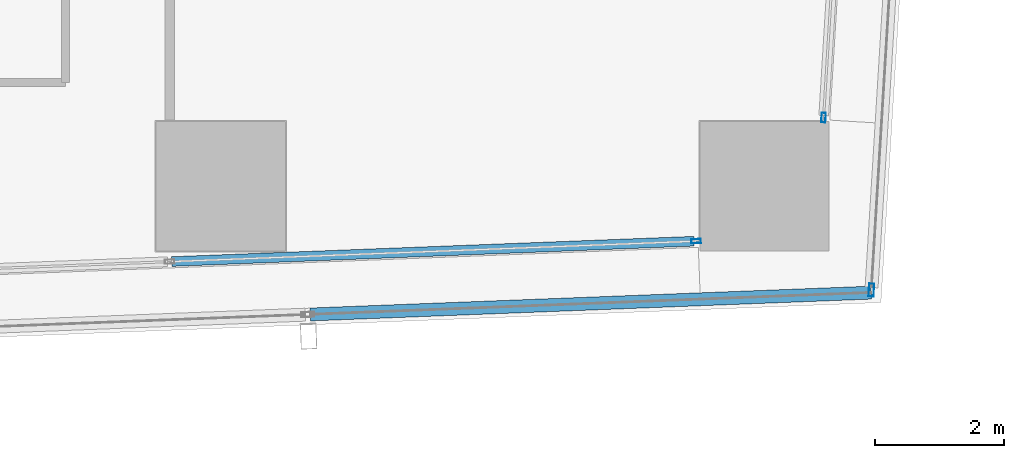
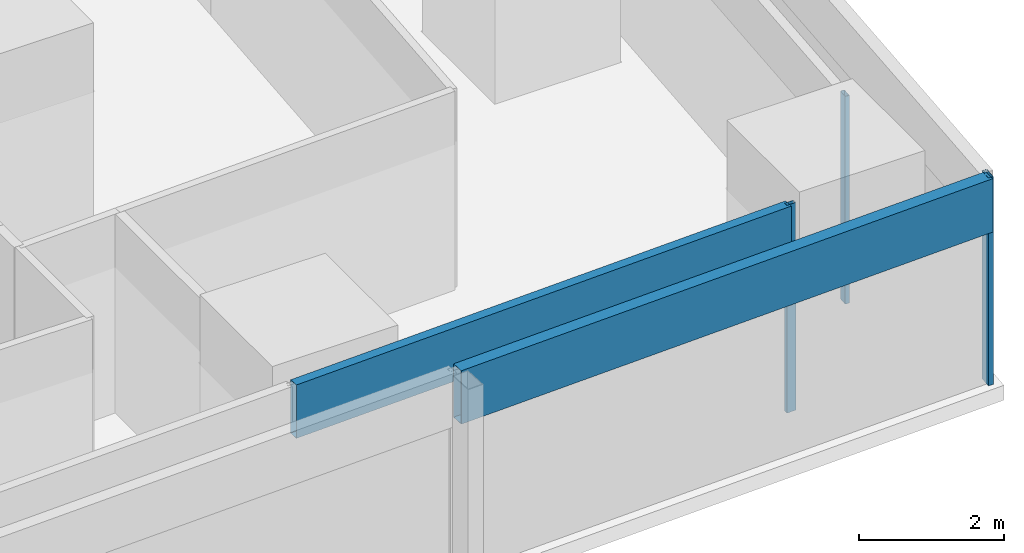
# One storey, part 12 of 39: 5 members, 4 elements without a shape of their own.
"""IFC4 building model written with IfcOpenShell, lengths in metres."""

from ifc_helpers import new_model, si_unit, direction, frame, origin, origin_2d, place, context, subcontext, project, spatial, hollow_rectangle, extrude, material, material_profile, profile_set, type_object, element, aggregate, save


model = new_model("IFC4")

# Units and contexts
model_context = context("Model", 3, precision=1e-05, world=origin(), true_north=direction((0.0, 1.0)))
body_context = subcontext(model_context, "Body", "Model", "MODEL_VIEW")
ifc_project = project(units=[si_unit("LENGTHUNIT", "METRE"), si_unit("AREAUNIT", "SQUARE_METRE"), si_unit("VOLUMEUNIT", "CUBIC_METRE"), si_unit("PLANEANGLEUNIT", "RADIAN"), si_unit("MASSUNIT", "GRAM", prefix="KILO")], contexts=[model_context])

# Site, building, storey
site_placement = place(None, origin())
site = spatial("IfcSite", under=ifc_project, at=site_placement, CompositionType="ELEMENT")
building_placement = place(site_placement, origin())
building = spatial("IfcBuilding", under=site, at=building_placement, Name="Rekha Terrace Tower", CompositionType="ELEMENT")
storey_placement = place(building_placement, frame((0.0, 0.0, 151.550048828125)))
storey = spatial("IfcBuildingStorey", under=building, at=storey_placement, Name="L38", CompositionType="ELEMENT", Elevation=151.550048828125)

# Curtain wall, member
ifc_material_1 = material(Name="Aluminium framing", Category="aluminium")
curtain_wall_type_1 = type_object("IfcCurtainWallType", Name="CW1 double skin inner glazing", PredefinedType="USERDEFINED", material=ifc_material_1)
curtain_wall_1_placement = place(storey_placement, origin())
curtain_wall_1 = element("IfcCurtainWall", 1, at=curtain_wall_1_placement, inside=storey, type_object=curtain_wall_type_1, Name="CW1 double skin inner glazing", ObjectType="DOUBLE SKIN INNER GLAZING", PredefinedType="USERDEFINED")
ifc_material_2 = material(Name="Aluminium mullion section", Category="aluminium")
ifc_material_profile_1 = material_profile(ifc_material_2, hollow_rectangle(XDim=0.06494140625, YDim=0.14990234375, WallThickness=0.00390625, at=origin_2d()), Name="AL RHS 65x150")
ifc_profile_set_1 = profile_set([ifc_material_profile_1], Name="Aluminium mullion section")
member_type_1 = type_object("IfcMemberType", Name="CW1 mullion RHS 65 x 150", PredefinedType="MULLION", material=ifc_profile_set_1)
member_1_placement = place(storey_placement, frame((66.143798828125, 15.94970703125, 0.0), z_axis=(0.0, 0.0, 1.0), x_axis=(-0.038889971328, 0.999243498918, 0.0)))
member_1 = element("IfcMember", 2, at=member_1_placement, type_object=member_type_1, Name="CW1 mullion 6", PredefinedType="MULLION", context=body_context, shape_type="SweptSolid", body=[
    extrude(hollow_rectangle(XDim=0.06494140625, YDim=0.14990234375, WallThickness=0.00390625, at=origin_2d()), origin(), (0.0, 0.0, 1.0), 3.5),
])

curtain_wall_2_placement = place(storey_placement, origin())
curtain_wall_2 = element("IfcCurtainWall", 3, at=curtain_wall_2_placement, inside=storey, type_object=curtain_wall_type_1, Name="CW1 double skin inner glazing", ObjectType="DOUBLE SKIN INNER GLAZING", PredefinedType="USERDEFINED")
member_2_placement = place(storey_placement, frame((68.113037109375, 17.85791015625, 0.0), z_axis=(0.0, 0.0, 1.0), x_axis=(-0.998127987024, 0.061159803131, 0.0)))
member_2 = element("IfcMember", 4, at=member_2_placement, type_object=member_type_1, Name="CW1 mullion 1", PredefinedType="MULLION", context=body_context, shape_type="SweptSolid", body=[
    extrude(hollow_rectangle(XDim=0.06494140625, YDim=0.14990234375, WallThickness=0.00390625, at=origin_2d()), origin(), (0.0, 0.0, 1.0), 3.5),
])
aggregate(curtain_wall_2, [member_2])

# Member
ifc_material_3 = material(Name="Insulated aluminium spandrel box", Category="aluminium")
ifc_material_profile_2 = material_profile(ifc_material_3, hollow_rectangle(XDim=0.14990234375, YDim=0.89990234375, WallThickness=0.0029296875, at=origin_2d()), Name="AL SPANDREL BOX 150x900")
ifc_profile_set_2 = profile_set([ifc_material_profile_2], Name="Insulated aluminium spandrel box")
member_type_2 = type_object("IfcMemberType", Name="CW1 spandrel transom 150 x 900", PredefinedType="USERDEFINED", material=ifc_profile_set_2)
member_3_placement = place(storey_placement, frame((58.04296875, 15.63427734375, 3.050048828125), z_axis=(0.999242568969, 0.038913858214, 0.0), x_axis=(-0.038913858214, 0.999242568969, 0.0)))
member_3 = element("IfcMember", 5, at=member_3_placement, type_object=member_type_2, Name="CW1 spandrel transom 5", ObjectType="TRANSOM", PredefinedType="USERDEFINED", context=body_context, shape_type="SweptSolid", body=[
    extrude(hollow_rectangle(XDim=0.14990234375, YDim=0.89990234375, WallThickness=0.0029296875, at=origin_2d()), origin(), (0.0, 0.0, 1.0), 8.074462890625),
])

aggregate(curtain_wall_1, [member_1, member_3])

# Curtain wall, member
curtain_wall_type_2 = type_object("IfcCurtainWallType", Name="CW2 double skin outer glazing", PredefinedType="USERDEFINED", material=ifc_material_1)
curtain_wall_3_placement = place(storey_placement, origin())
curtain_wall_3 = element("IfcCurtainWall", 6, at=curtain_wall_3_placement, inside=storey, type_object=curtain_wall_type_2, Name="CW2 double skin outer glazing", ObjectType="DOUBLE SKIN OUTER GLAZING", PredefinedType="USERDEFINED")
ifc_material_profile_3 = material_profile(ifc_material_2, hollow_rectangle(XDim=0.080078125, YDim=0.199951171875, WallThickness=0.00390625, at=origin_2d()), Name="AL RHS 80x200")
ifc_profile_set_3 = profile_set([ifc_material_profile_3], Name="Aluminium mullion section")
member_type_3 = type_object("IfcMemberType", Name="CW2 mullion RHS 80 x 200", PredefinedType="MULLION", material=ifc_profile_set_3)
member_4_placement = place(storey_placement, frame((68.8515625, 15.194091796875, 0.0), z_axis=(0.0, 0.0, 1.0), x_axis=(-0.998127987024, 0.061159803131, 0.0)))
member_4 = element("IfcMember", 7, at=member_4_placement, type_object=member_type_3, Name="CW2 mullion 1", PredefinedType="MULLION", context=body_context, shape_type="SweptSolid", body=[
    extrude(hollow_rectangle(XDim=0.080078125, YDim=0.199951171875, WallThickness=0.00390625, at=origin_2d()), origin(), (0.0, 0.0, 1.0), 3.5),
])
aggregate(curtain_wall_3, [member_4])

curtain_wall_4_placement = place(storey_placement, origin())
curtain_wall_4 = element("IfcCurtainWall", 8, at=curtain_wall_4_placement, inside=storey, type_object=curtain_wall_type_2, Name="CW2 double skin outer glazing", ObjectType="DOUBLE SKIN OUTER GLAZING", PredefinedType="USERDEFINED")
ifc_material_profile_4 = material_profile(ifc_material_3, hollow_rectangle(XDim=0.199951171875, YDim=0.89990234375, WallThickness=0.0029296875, at=origin_2d()), Name="AL SPANDREL BOX 200x900")
ifc_profile_set_4 = profile_set([ifc_material_profile_4], Name="Insulated aluminium spandrel box")
member_type_4 = type_object("IfcMemberType", Name="CW2 spandrel transom 200 x 900", PredefinedType="USERDEFINED", material=ifc_profile_set_4)
member_5_placement = place(storey_placement, frame((60.18408203125, 14.81689453125, 3.050048828125), z_axis=(0.99924276334, 0.038908866757, 0.0), x_axis=(-0.038908866757, 0.99924276334, 0.0)))
member_5 = element("IfcMember", 9, at=member_5_placement, type_object=member_type_4, Name="CW2 spandrel transom 5", ObjectType="TRANSOM", PredefinedType="USERDEFINED", context=body_context, shape_type="SweptSolid", body=[
    extrude(hollow_rectangle(XDim=0.199951171875, YDim=0.89990234375, WallThickness=0.0029296875, at=origin_2d()), origin(), (0.0, 0.0, 1.0), 8.671630859375),
])
aggregate(curtain_wall_4, [member_5])

save(model, "model.ifc")
